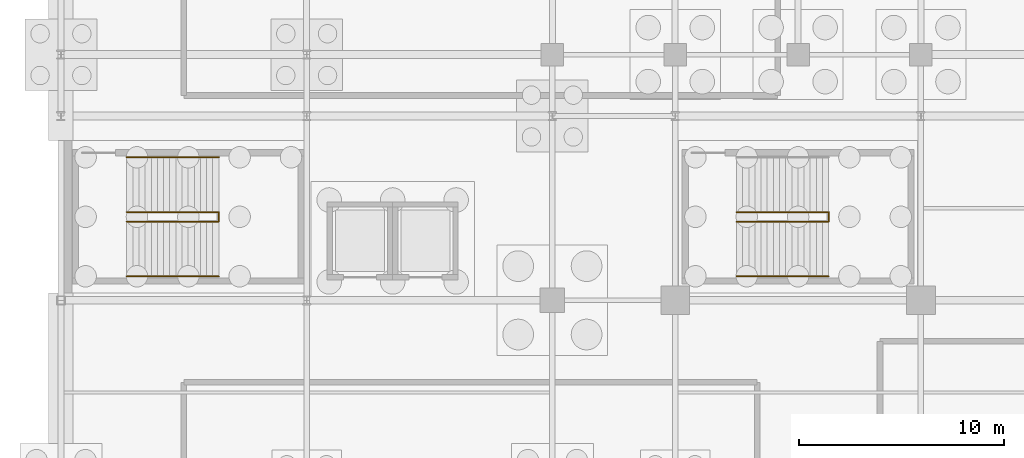
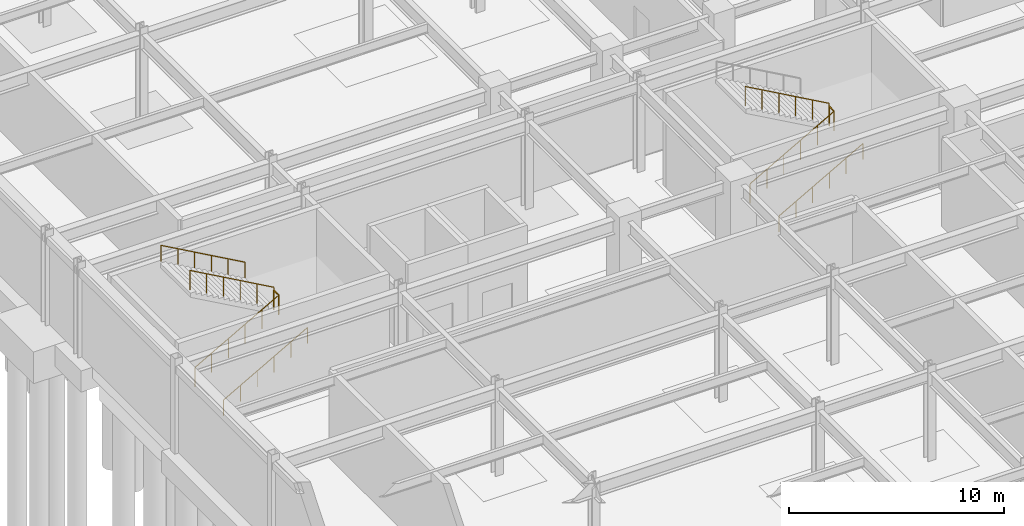
# One storey, part 41 of 47: 9 railings.
"""IFC4 building model written with IfcOpenShell, lengths in metres."""

from ifc_helpers import new_model, si_unit, direction, frame, origin, origin_2d, place, context, subcontext, project, spatial, circle, extrude, material, type_object, element, save


model = new_model("IFC4")

# Units and contexts
model_context = context("Model", 3, precision=1e-05, world=origin(), true_north=direction((0.0, 1.0)))
body_context = subcontext(model_context, "Body", "Model", "MODEL_VIEW")
ifc_project = project(units=[si_unit("LENGTHUNIT", "METRE"), si_unit("AREAUNIT", "SQUARE_METRE"), si_unit("VOLUMEUNIT", "CUBIC_METRE"), si_unit("PLANEANGLEUNIT", "RADIAN"), si_unit("MASSUNIT", "GRAM", prefix="KILO")], contexts=[model_context])

# Site, building, storey
site_placement = place(None, origin())
site = spatial("IfcSite", under=ifc_project, at=site_placement, CompositionType="ELEMENT")
building_placement = place(site_placement, origin())
building = spatial("IfcBuilding", under=site, at=building_placement, Name="Kaldorvane Square Convention Centre", CompositionType="ELEMENT")
storey_placement = place(building_placement, frame((0.0, 0.0, -5.399993896484375)))
storey = spatial("IfcBuildingStorey", under=building, at=storey_placement, Name="B01", CompositionType="ELEMENT", Elevation=-5.399993896484375)

# Railings
ifc_material = material(Name="Architectural Painted Steel", Category="steel")
railing_type_1 = type_object("IfcRailingType", Name="RL-GUARD-1120", PredefinedType="BALUSTRADE", material=ifc_material)
railing_1_placement = place(storey_placement, frame((7.7100067138671875, 75.86000061035156, 2.6999969482421875)))
element("IfcRailing", 1, at=railing_1_placement, inside=storey, type_object=railing_type_1, Name="Convention Exit Stair C12 Half-Landing Guard (B01)", PredefinedType="BALUSTRADE", context=body_context, shape_type="SweptSolid", body=[
    extrude(circle(Radius=0.0240020751953125, at=origin_2d()), frame((0.0, 0.0, 1.0959930419921875), z_axis=(0.0, 1.0, 0.0), x_axis=(-1.0, 0.0, 0.0)), (0.0, 0.0, 1.0), 0.44000244140625),
    extrude(circle(Radius=0.02099609375, at=origin_2d()), origin(), (0.0, 0.0, 1.0), 1.071990966796875),
    extrude(circle(Radius=0.02099609375, at=origin_2d()), frame((0.0, 0.44000244140625, 0.0)), (0.0, 0.0, 1.0), 1.071990966796875),
])
railing_2_placement = place(storey_placement, frame((3.2100067138671875, 75.85000610351562, 0.1687469482421875)))
element("IfcRailing", 2, at=railing_2_placement, inside=storey, type_object=railing_type_1, Name="Convention Exit Stair C12 Flight 1 Guard (B01)", PredefinedType="BALUSTRADE", context=body_context, shape_type="SweptSolid", body=[
    extrude(circle(Radius=0.0240020751953125, at=origin_2d()), frame((0.0, 0.0, 1.0959930419921875), z_axis=(0.871575537125, 0.0, 0.490261239633), x_axis=(0.0, 1.0, 0.0)), (0.0, 0.0, 1.0), 5.1630706787109375),
    extrude(circle(Radius=0.02099609375, at=origin_2d()), origin(), (0.0, 0.0, 1.0), 1.071990966796875),
    extrude(circle(Radius=0.02099609375, at=origin_2d()), frame((0.899993896484375, 0.0, 0.506256103515625)), (0.0, 0.0, 1.0), 1.071990966796875),
    extrude(circle(Radius=0.02099609375, at=origin_2d()), frame((1.8000030517578125, 0.0, 1.0124969482421875)), (0.0, 0.0, 1.0), 1.071990966796875),
    extrude(circle(Radius=0.02099609375, at=origin_2d()), frame((2.6999969482421875, 0.0, 1.5187530517578125)), (0.0, 0.0, 1.0), 1.071990966796875),
    extrude(circle(Radius=0.02099609375, at=origin_2d()), frame((3.600006103515625, 0.0, 2.024993896484375)), (0.0, 0.0, 1.0), 1.071990966796875),
    extrude(circle(Radius=0.02099609375, at=origin_2d()), frame((4.5, 0.0, 2.53125)), (0.0, 0.0, 1.0), 1.071990966796875),
])
railing_3_placement = place(storey_placement, frame((7.7100067138671875, 76.30999755859375, 2.868743896484375)))
element("IfcRailing", 3, at=railing_3_placement, inside=storey, type_object=railing_type_1, Name="Convention Exit Stair C12 Flight 2 Guard (B01)", PredefinedType="BALUSTRADE", context=body_context, shape_type="SweptSolid", body=[
    extrude(circle(Radius=0.0240020751953125, at=origin_2d()), frame((0.0, 0.0, 1.0959930419921875), z_axis=(-0.871575537125, 0.0, 0.490261239633), x_axis=(0.0, -1.0, 0.0)), (0.0, 0.0, 1.0), 5.1630706787109375),
    extrude(circle(Radius=0.02099609375, at=origin_2d()), origin(), (0.0, 0.0, 1.0), 1.071990966796875),
    extrude(circle(Radius=0.02099609375, at=origin_2d()), frame((-0.899993896484375, 0.0, 0.506256103515625)), (0.0, 0.0, 1.0), 1.071990966796875),
    extrude(circle(Radius=0.02099609375, at=origin_2d()), frame((-1.8000030517578125, 0.0, 1.0124969482421875)), (0.0, 0.0, 1.0), 1.071990966796875),
    extrude(circle(Radius=0.02099609375, at=origin_2d()), frame((-2.6999969482421875, 0.0, 1.5187530517578125)), (0.0, 0.0, 1.0), 1.071990966796875),
    extrude(circle(Radius=0.02099609375, at=origin_2d()), frame((-3.600006103515625, 0.0, 2.024993896484375)), (0.0, 0.0, 1.0), 1.071990966796875),
    extrude(circle(Radius=0.02099609375, at=origin_2d()), frame((-4.5, 0.0, 2.53125)), (0.0, 0.0, 1.0), 1.071990966796875),
])
railing_4_placement = place(storey_placement, frame((37.49000549316406, 75.86000061035156, 2.6999969482421875)))
element("IfcRailing", 4, at=railing_4_placement, inside=storey, type_object=railing_type_1, Name="Convention Exit Stair C13 Half-Landing Guard (B01)", PredefinedType="BALUSTRADE", context=body_context, shape_type="SweptSolid", body=[
    extrude(circle(Radius=0.0240020751953125, at=origin_2d()), frame((0.0, 0.0, 1.0959930419921875), z_axis=(0.0, 1.0, 0.0), x_axis=(-1.0, 0.0, 0.0)), (0.0, 0.0, 1.0), 0.44000244140625),
    extrude(circle(Radius=0.02099609375, at=origin_2d()), origin(), (0.0, 0.0, 1.0), 1.071990966796875),
    extrude(circle(Radius=0.02099609375, at=origin_2d()), frame((0.0, 0.44000244140625, 0.0)), (0.0, 0.0, 1.0), 1.071990966796875),
])
railing_5_placement = place(storey_placement, frame((32.99000549316406, 75.85000610351562, 0.1687469482421875)))
element("IfcRailing", 5, at=railing_5_placement, inside=storey, type_object=railing_type_1, Name="Convention Exit Stair C13 Flight 1 Guard (B01)", PredefinedType="BALUSTRADE", context=body_context, shape_type="SweptSolid", body=[
    extrude(circle(Radius=0.0240020751953125, at=origin_2d()), frame((0.0, 0.0, 1.0959930419921875), z_axis=(0.871575537125, 0.0, 0.490261239633), x_axis=(0.0, 1.0, 0.0)), (0.0, 0.0, 1.0), 5.1630706787109375),
    extrude(circle(Radius=0.02099609375, at=origin_2d()), origin(), (0.0, 0.0, 1.0), 1.071990966796875),
    extrude(circle(Radius=0.02099609375, at=origin_2d()), frame((0.899993896484375, 0.0, 0.506256103515625)), (0.0, 0.0, 1.0), 1.071990966796875),
    extrude(circle(Radius=0.02099609375, at=origin_2d()), frame((1.8000030517578125, 0.0, 1.0124969482421875)), (0.0, 0.0, 1.0), 1.071990966796875),
    extrude(circle(Radius=0.02099609375, at=origin_2d()), frame((2.6999969482421875, 0.0, 1.5187530517578125)), (0.0, 0.0, 1.0), 1.071990966796875),
    extrude(circle(Radius=0.02099609375, at=origin_2d()), frame((3.600006103515625, 0.0, 2.024993896484375)), (0.0, 0.0, 1.0), 1.071990966796875),
    extrude(circle(Radius=0.02099609375, at=origin_2d()), frame((4.5, 0.0, 2.53125)), (0.0, 0.0, 1.0), 1.071990966796875),
])
railing_6_placement = place(storey_placement, frame((37.49000549316406, 76.30999755859375, 2.868743896484375)))
element("IfcRailing", 6, at=railing_6_placement, inside=storey, type_object=railing_type_1, Name="Convention Exit Stair C13 Flight 2 Guard (B01)", PredefinedType="BALUSTRADE", context=body_context, shape_type="SweptSolid", body=[
    extrude(circle(Radius=0.0240020751953125, at=origin_2d()), frame((0.0, 0.0, 1.0959930419921875), z_axis=(-0.871575537125, 0.0, 0.490261239633), x_axis=(0.0, -1.0, 0.0)), (0.0, 0.0, 1.0), 5.1630706787109375),
    extrude(circle(Radius=0.02099609375, at=origin_2d()), origin(), (0.0, 0.0, 1.0), 1.071990966796875),
    extrude(circle(Radius=0.02099609375, at=origin_2d()), frame((-0.899993896484375, 0.0, 0.506256103515625)), (0.0, 0.0, 1.0), 1.071990966796875),
    extrude(circle(Radius=0.02099609375, at=origin_2d()), frame((-1.8000030517578125, 0.0, 1.0124969482421875)), (0.0, 0.0, 1.0), 1.071990966796875),
    extrude(circle(Radius=0.02099609375, at=origin_2d()), frame((-2.6999969482421875, 0.0, 1.5187530517578125)), (0.0, 0.0, 1.0), 1.071990966796875),
    extrude(circle(Radius=0.02099609375, at=origin_2d()), frame((-3.600006103515625, 0.0, 2.024993896484375)), (0.0, 0.0, 1.0), 1.071990966796875),
    extrude(circle(Radius=0.02099609375, at=origin_2d()), frame((-4.5, 0.0, 2.53125)), (0.0, 0.0, 1.0), 1.071990966796875),
])
railing_type_2 = type_object("IfcRailingType", Name="RL-HAND-915", PredefinedType="HANDRAIL", material=ifc_material)
railing_7_placement = place(storey_placement, frame((3.2100067138671875, 73.16999816894531, 0.1687469482421875)))
element("IfcRailing", 7, at=railing_7_placement, inside=storey, type_object=railing_type_2, Name="Convention Exit Stair C12 Wall Handrail 1 (B01)", PredefinedType="HANDRAIL", context=body_context, shape_type="SweptSolid", body=[
    extrude(circle(Radius=0.0240020751953125, at=origin_2d()), frame((0.0, 0.0, 0.8909912109375), z_axis=(0.871575537125, 0.0, 0.490261239633), x_axis=(0.0, 1.0, 0.0)), (0.0, 0.0, 1.0), 5.1630706787109375),
    extrude(circle(Radius=0.02099609375, at=origin_2d()), origin(), (0.0, 0.0, 1.0), 0.8669891357421875),
    extrude(circle(Radius=0.02099609375, at=origin_2d()), frame((0.899993896484375, 0.0, 0.506256103515625)), (0.0, 0.0, 1.0), 0.8669891357421875),
    extrude(circle(Radius=0.02099609375, at=origin_2d()), frame((1.8000030517578125, 0.0, 1.0124969482421875)), (0.0, 0.0, 1.0), 0.8669891357421875),
    extrude(circle(Radius=0.02099609375, at=origin_2d()), frame((2.6999969482421875, 0.0, 1.5187530517578125)), (0.0, 0.0, 1.0), 0.8669891357421875),
    extrude(circle(Radius=0.02099609375, at=origin_2d()), frame((3.600006103515625, 0.0, 2.024993896484375)), (0.0, 0.0, 1.0), 0.8669891357421875),
    extrude(circle(Radius=0.02099609375, at=origin_2d()), frame((4.5, 0.0, 2.53125)), (0.0, 0.0, 1.0), 0.8669891357421875),
])
railing_8_placement = place(storey_placement, frame((7.7100067138671875, 78.99000549316406, 2.868743896484375)))
element("IfcRailing", 8, at=railing_8_placement, inside=storey, type_object=railing_type_2, Name="Convention Exit Stair C12 Wall Handrail 2 (B01)", PredefinedType="HANDRAIL", context=body_context, shape_type="SweptSolid", body=[
    extrude(circle(Radius=0.0240020751953125, at=origin_2d()), frame((0.0, 0.0, 0.8909912109375), z_axis=(-0.871575537125, 0.0, 0.490261239633), x_axis=(0.0, -1.0, 0.0)), (0.0, 0.0, 1.0), 5.1630706787109375),
    extrude(circle(Radius=0.02099609375, at=origin_2d()), origin(), (0.0, 0.0, 1.0), 0.8669891357421875),
    extrude(circle(Radius=0.02099609375, at=origin_2d()), frame((-0.899993896484375, 0.0, 0.506256103515625)), (0.0, 0.0, 1.0), 0.8669891357421875),
    extrude(circle(Radius=0.02099609375, at=origin_2d()), frame((-1.8000030517578125, 0.0, 1.0124969482421875)), (0.0, 0.0, 1.0), 0.8669891357421875),
    extrude(circle(Radius=0.02099609375, at=origin_2d()), frame((-2.6999969482421875, 0.0, 1.5187530517578125)), (0.0, 0.0, 1.0), 0.8669891357421875),
    extrude(circle(Radius=0.02099609375, at=origin_2d()), frame((-3.600006103515625, 0.0, 2.024993896484375)), (0.0, 0.0, 1.0), 0.8669891357421875),
    extrude(circle(Radius=0.02099609375, at=origin_2d()), frame((-4.5, 0.0, 2.53125)), (0.0, 0.0, 1.0), 0.8669891357421875),
])
railing_9_placement = place(storey_placement, frame((32.99000549316406, 73.16999816894531, 0.1687469482421875)))
element("IfcRailing", 9, at=railing_9_placement, inside=storey, type_object=railing_type_2, Name="Convention Exit Stair C13 Wall Handrail 1 (B01)", PredefinedType="HANDRAIL", context=body_context, shape_type="SweptSolid", body=[
    extrude(circle(Radius=0.0240020751953125, at=origin_2d()), frame((0.0, 0.0, 0.8909912109375), z_axis=(0.871575537125, 0.0, 0.490261239633), x_axis=(0.0, 1.0, 0.0)), (0.0, 0.0, 1.0), 5.1630706787109375),
    extrude(circle(Radius=0.02099609375, at=origin_2d()), origin(), (0.0, 0.0, 1.0), 0.8669891357421875),
    extrude(circle(Radius=0.02099609375, at=origin_2d()), frame((0.899993896484375, 0.0, 0.506256103515625)), (0.0, 0.0, 1.0), 0.8669891357421875),
    extrude(circle(Radius=0.02099609375, at=origin_2d()), frame((1.8000030517578125, 0.0, 1.0124969482421875)), (0.0, 0.0, 1.0), 0.8669891357421875),
    extrude(circle(Radius=0.02099609375, at=origin_2d()), frame((2.6999969482421875, 0.0, 1.5187530517578125)), (0.0, 0.0, 1.0), 0.8669891357421875),
    extrude(circle(Radius=0.02099609375, at=origin_2d()), frame((3.600006103515625, 0.0, 2.024993896484375)), (0.0, 0.0, 1.0), 0.8669891357421875),
    extrude(circle(Radius=0.02099609375, at=origin_2d()), frame((4.5, 0.0, 2.53125)), (0.0, 0.0, 1.0), 0.8669891357421875),
])

save(model, "model.ifc")
